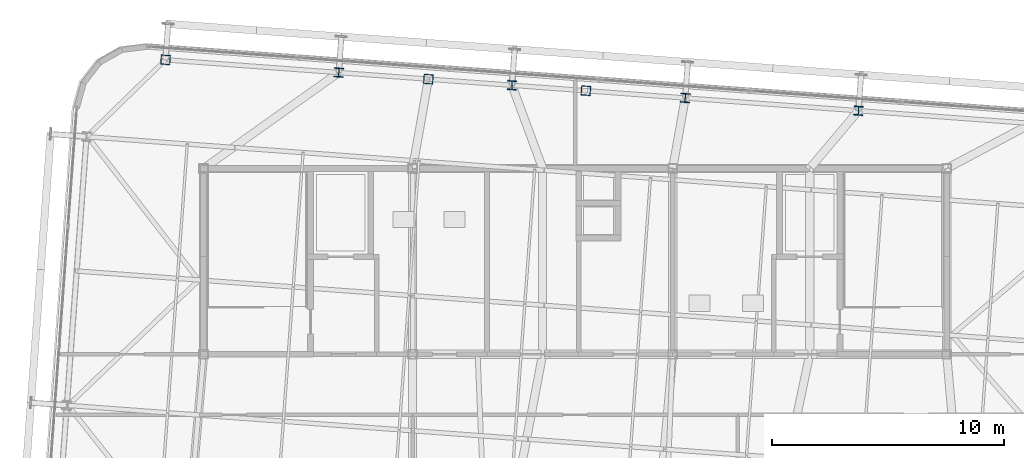
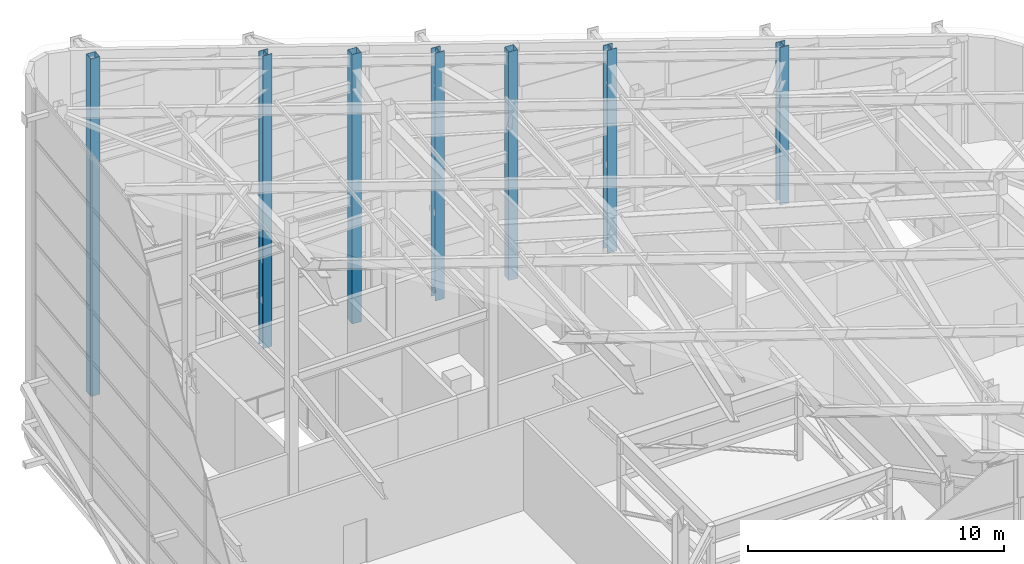
# One storey, part 2 of 56: 7 columns.
"""IFC4 building model written with IfcOpenShell, lengths in metres."""

from ifc_helpers import new_model, si_unit, direction, frame, origin, origin_2d, place, context, subcontext, project, spatial, hollow_rectangle, i_section, extrude, source, transform, mapped, material, material_profile, profile_set, type_object, element, save


model = new_model("IFC4")

# Units and contexts
model_context = context("Model", 3, precision=1e-05, world=origin(), true_north=direction((0.0, 1.0)))
body_context = subcontext(model_context, "Body", "Model", "MODEL_VIEW")
ifc_project = project(units=[si_unit("LENGTHUNIT", "METRE"), si_unit("AREAUNIT", "SQUARE_METRE"), si_unit("VOLUMEUNIT", "CUBIC_METRE"), si_unit("PLANEANGLEUNIT", "RADIAN"), si_unit("MASSUNIT", "GRAM", prefix="KILO")], contexts=[model_context])

# Site, building, storey
site_placement = place(None, origin())
site = spatial("IfcSite", under=ifc_project, at=site_placement, CompositionType="ELEMENT")
building_placement = place(site_placement, origin())
building = spatial("IfcBuilding", under=site, at=building_placement, Name="Taldren Reach Tower", CompositionType="ELEMENT")
storey_placement = place(building_placement, frame((0.0, 0.0, 253.050048828125)))
storey = spatial("IfcBuildingStorey", under=building, at=storey_placement, Name="L77", CompositionType="ELEMENT", Elevation=253.050048828125)

# Columns
ifc_material_1 = material(Name="Steel Gr 450 (C450L0)", Category="steel")
ifc_material_profile_1 = material_profile(ifc_material_1, hollow_rectangle(XDim=0.39990234375, YDim=0.39990234375, WallThickness=0.01611328125, at=origin_2d()), Name="400x400x16.0SHS")
ifc_profile_set_1 = profile_set([ifc_material_profile_1], Name="Steel Gr 450 (C450L0)")
column_type_1 = type_object("IfcColumnType", Name="COL-SHS400", PredefinedType="COLUMN", material=ifc_profile_set_1)
shared_shape_1 = source(origin(), body_context, "Body", "SweptSolid", [
    extrude(hollow_rectangle(XDim=0.39990234375, YDim=0.39990234375, WallThickness=0.01611328125, at=origin_2d()), origin(), (0.0, 0.0, 1.0), 16.110595703125),
])
column_1_placement = place(storey_placement, frame((17.35986328125, 36.678955078125, 0.0), z_axis=(0.0, 0.0, 1.0), x_axis=(0.997314477224, -0.073238197128, 0.0)))
element("IfcColumn", 1, at=column_1_placement, inside=storey, type_object=column_type_1, Name="Block B5 perimeter column N1 L77", PredefinedType="COLUMN", context=body_context, shape_type="MappedRepresentation", body=[
    mapped(shared_shape_1, transform((0.0, 0.0, 0.0), scale=1.0)),
])
ifc_material_2 = material(Name="Steel Gr 350 (350PLUS)", Category="steel")
ifc_material_profile_2 = material_profile(ifc_material_2, i_section(OverallWidth=0.39990234375, OverallDepth=0.39599609375, WebThickness=0.02197265625, FlangeThickness=0.033935546875, at=origin_2d()), Name="400WC270")
ifc_profile_set_2 = profile_set([ifc_material_profile_2], Name="Steel Gr 350 (350PLUS)")
column_type_2 = type_object("IfcColumnType", Name="COL-WC400", PredefinedType="COLUMN", material=ifc_profile_set_2)
shared_shape_2 = source(origin(), body_context, "Body", "SweptSolid", [
    extrude(i_section(OverallWidth=0.39990234375, OverallDepth=0.39599609375, WebThickness=0.02197265625, FlangeThickness=0.033935546875, at=origin_2d()), origin(), (0.0, 0.0, 1.0), 13.96630859375),
])
column_2_placement = place(storey_placement, frame((24.819580078125, 36.131103515625, 0.0), z_axis=(0.0, 0.0, 1.0), x_axis=(0.997314477224, -0.073238197128, 0.0)))
element("IfcColumn", 2, at=column_2_placement, inside=storey, type_object=column_type_2, Name="Block B5 perimeter column N2 L77", PredefinedType="COLUMN", context=body_context, shape_type="MappedRepresentation", body=[
    mapped(shared_shape_2, transform((0.0, 0.0, 0.0), scale=1.0)),
])
shared_shape_3 = source(origin(), body_context, "Body", "SweptSolid", [
    extrude(i_section(OverallWidth=0.39990234375, OverallDepth=0.39599609375, WebThickness=0.02197265625, FlangeThickness=0.033935546875, at=origin_2d()), origin(), (0.0, 0.0, 1.0), 11.822021484375),
])
column_3_placement = place(storey_placement, frame((32.279541015625, 35.583251953125, 0.0), z_axis=(0.0, 0.0, 1.0), x_axis=(0.997314477224, -0.073238197128, 0.0)))
element("IfcColumn", 3, at=column_3_placement, inside=storey, type_object=column_type_2, Name="Block B5 perimeter column N3 L77", PredefinedType="COLUMN", context=body_context, shape_type="MappedRepresentation", body=[
    mapped(shared_shape_3, transform((0.0, 0.0, 0.0), scale=1.0)),
])
shared_shape_4 = source(origin(), body_context, "Body", "SweptSolid", [
    extrude(i_section(OverallWidth=0.39990234375, OverallDepth=0.39599609375, WebThickness=0.02197265625, FlangeThickness=0.033935546875, at=origin_2d()), origin(), (0.0, 0.0, 1.0), 9.677734375),
])
column_4_placement = place(storey_placement, frame((39.739501953125, 35.035400390625, 0.0), z_axis=(0.0, 0.0, 1.0), x_axis=(0.997314477224, -0.073238197128, 0.0)))
element("IfcColumn", 4, at=column_4_placement, inside=storey, type_object=column_type_2, Name="Block B5 perimeter column N4 L77", PredefinedType="COLUMN", context=body_context, shape_type="MappedRepresentation", body=[
    mapped(shared_shape_4, transform((0.0, 0.0, 0.0), scale=1.0)),
])
shared_shape_5 = source(origin(), body_context, "Body", "SweptSolid", [
    extrude(i_section(OverallWidth=0.39990234375, OverallDepth=0.39599609375, WebThickness=0.02197265625, FlangeThickness=0.033935546875, at=origin_2d()), origin(), (0.0, 0.0, 1.0), 7.533447265625),
])
column_5_placement = place(storey_placement, frame((47.199462890625, 34.487548828125, 0.0), z_axis=(0.0, 0.0, 1.0), x_axis=(0.997314477224, -0.073238197128, 0.0)))
element("IfcColumn", 5, at=column_5_placement, inside=storey, type_object=column_type_2, Name="Block B5 perimeter column N5 L77", PredefinedType="COLUMN", context=body_context, shape_type="MappedRepresentation", body=[
    mapped(shared_shape_5, transform((0.0, 0.0, 0.0), scale=1.0)),
])
shared_shape_6 = source(origin(), body_context, "Body", "SweptSolid", [
    extrude(hollow_rectangle(XDim=0.39990234375, YDim=0.39990234375, WallThickness=0.01611328125, at=origin_2d()), origin(), (0.0, 0.0, 1.0), 12.85693359375),
])
column_6_placement = place(storey_placement, frame((28.67919921875, 35.84765625, 0.0), z_axis=(0.0, 0.0, 1.0), x_axis=(0.997314477224, -0.073238197128, 0.0)))
element("IfcColumn", 6, at=column_6_placement, inside=storey, type_object=column_type_1, Name="Block B5 perimeter column PJN1 L77", PredefinedType="COLUMN", context=body_context, shape_type="MappedRepresentation", body=[
    mapped(shared_shape_6, transform((0.0, 0.0, 0.0), scale=1.0)),
])
shared_shape_7 = source(origin(), body_context, "Body", "SweptSolid", [
    extrude(hollow_rectangle(XDim=0.39990234375, YDim=0.39990234375, WallThickness=0.01611328125, at=origin_2d()), origin(), (0.0, 0.0, 1.0), 10.90771484375),
])
column_7_placement = place(storey_placement, frame((35.4609375, 35.349609375, 0.0), z_axis=(0.0, 0.0, 1.0), x_axis=(0.997314477224, -0.073238197128, 0.0)))
element("IfcColumn", 7, at=column_7_placement, inside=storey, type_object=column_type_1, Name="Block B5 perimeter column PJN2 L77", PredefinedType="COLUMN", context=body_context, shape_type="MappedRepresentation", body=[
    mapped(shared_shape_7, transform((0.0, 0.0, 0.0), scale=1.0)),
])

save(model, "model.ifc")
